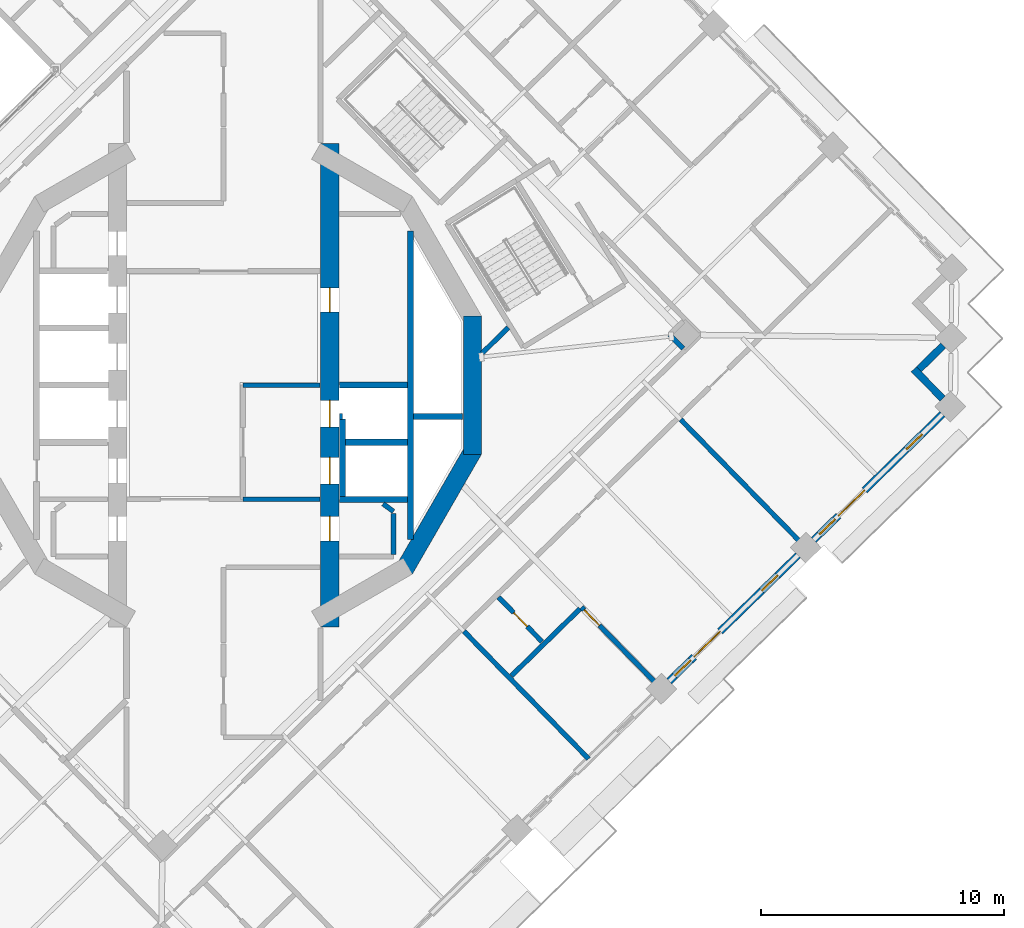
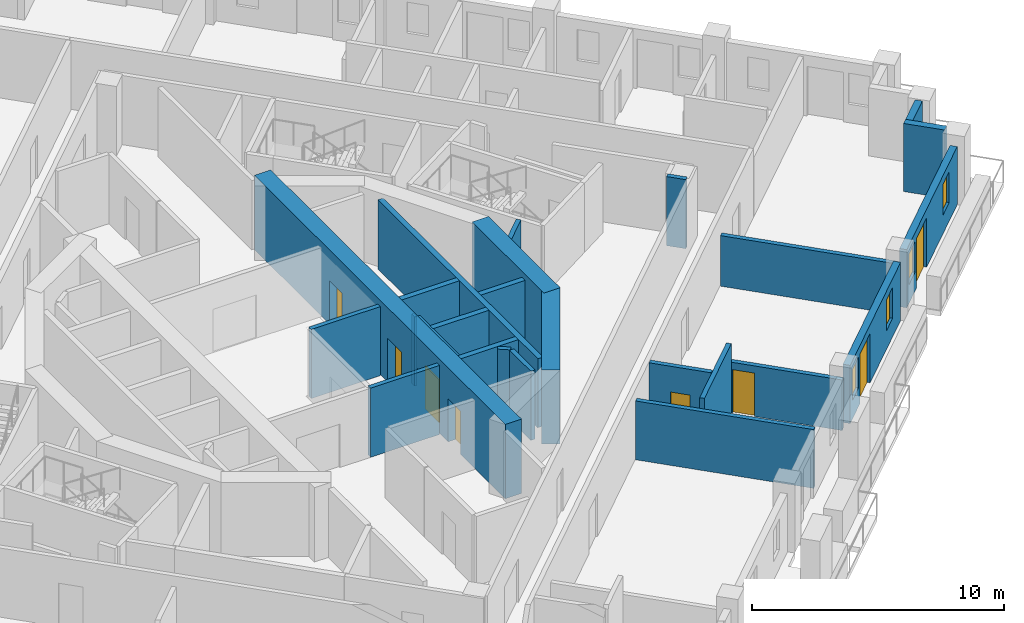
# One storey, part 10 of 21: 25 walls, 8 doors, 4 windows, 12 openings.
"""IFC4 building model written with IfcOpenShell, lengths in metres."""

from ifc_helpers import new_model, si_unit, direction, frame, frame_2d, origin, place, context, subcontext, project, spatial, rectangle, extrude, material, layer, layer_set, type_object, element, fill, save


model = new_model("IFC4")

# Units and contexts
model_context = context("Model", 3, precision=1e-05, world=origin(), true_north=direction((0.0, 1.0)))
body_context = subcontext(model_context, "Body", "Model", "MODEL_VIEW")
ifc_project = project(units=[si_unit("LENGTHUNIT", "METRE"), si_unit("AREAUNIT", "SQUARE_METRE"), si_unit("VOLUMEUNIT", "CUBIC_METRE"), si_unit("PLANEANGLEUNIT", "RADIAN"), si_unit("MASSUNIT", "GRAM", prefix="KILO")], contexts=[model_context])

# Site, building, storey
site_placement = place(None, origin())
site = spatial("IfcSite", under=ifc_project, at=site_placement, CompositionType="ELEMENT")
building_placement = place(site_placement, origin())
building = spatial("IfcBuilding", under=site, at=building_placement, Name="Cantera Rosa Tower", CompositionType="ELEMENT")
storey_placement = place(building_placement, frame((0.0, 0.0, 230.60009765625)))
storey = spatial("IfcBuildingStorey", under=building, at=storey_placement, Name="L50", CompositionType="ELEMENT", Elevation=230.60009765625)

# Walls
ifc_material_1 = material(Name="Hollow clay masonry with cantera stone cladding", Category="masonry")
ifc_layer_1 = layer(ifc_material_1, 0.300048828125)
ifc_layer_set_1 = layer_set([ifc_layer_1], Name="EW-LOGGIA 300")
wall_type_1 = type_object("IfcWallType", Name="EW-LOGGIA 300", PredefinedType="SOLIDWALL", material=ifc_layer_set_1)
wall_1_placement = place(storey_placement, frame((29.623291015625, -0.556884765625, 0.0), z_axis=(0.0, 0.0, 1.0), x_axis=(-0.69880105094, 0.715316077832, 0.0)))
element("IfcWall", 1, at=wall_1_placement, inside=storey, type_object=wall_type_1, Name="EN-L50-W26a", PredefinedType="SOLIDWALL", context=body_context, shape_type="SweptSolid", body=[
    extrude(rectangle(XDim=1.699951171875, YDim=0.300048828125, at=frame_2d((0.85009765625, 0.0))), origin(), (0.0, 0.0, 1.0), 3.2998046875),
])
wall_2_placement = place(storey_placement, frame((28.6474609375, 0.65673828125, 0.0), z_axis=(0.0, 0.0, 1.0), x_axis=(0.715341715727, 0.698774806172, 0.0)))
element("IfcWall", 2, at=wall_2_placement, inside=storey, type_object=wall_type_1, Name="EN-L50-W26b", PredefinedType="SOLIDWALL", context=body_context, shape_type="SweptSolid", body=[
    extrude(rectangle(XDim=1.39990234375, YDim=0.300048828125, at=frame_2d((0.699951171875, 0.0))), origin(), (0.0, 0.0, 1.0), 3.2998046875),
])

# Wall, openings, windows, door
ifc_material_2 = material(Name="Hollow clay masonry with cantera stone cladding", Category="masonry")
ifc_layer_2 = layer(ifc_material_2, 0.300048828125)
ifc_layer_set_2 = layer_set([ifc_layer_2], Name="EW-LOGGIA 300 H2820")
wall_type_2 = type_object("IfcWallType", Name="EW-LOGGIA 300 H2820", PredefinedType="SOLIDWALL", material=ifc_layer_set_2)
wall_3_placement = place(storey_placement, frame((18.357177734375, -12.19287109375, 0.0), z_axis=(0.0, 0.0, 1.0), x_axis=(0.715300826176, 0.698816662703, 0.0)))
wall_3 = element("IfcWall", 3, at=wall_3_placement, inside=storey, type_object=wall_type_2, Name="EN-L50-W24", PredefinedType="SOLIDWALL", context=body_context, shape_type="SweptSolid", body=[
    extrude(rectangle(XDim=7.420166015625, YDim=0.300048828125, at=frame_2d((3.7099609375, 0.0))), origin(), (0.0, 0.0, 1.0), 2.81982421875),
])
opening_1_placement = place(wall_3_placement, frame((0.330078125, 0.0, 0.89990234375)))
opening_1 = element("IfcOpeningElement", 4, at=opening_1_placement, cuts=wall_3, Name="Opening L50-W46", PredefinedType="OPENING", context=body_context, shape_type="SweptSolid", body=[
    extrude(rectangle(XDim=0.89990234375, YDim=1.5, at=frame_2d((0.449951171875, 0.75))), frame((0.0, 0.159912109375, 0.0), z_axis=(0.0, -1.0, 0.0), x_axis=(1.0, 0.0, 0.0)), (0.0, 0.0, 1.0), 0.320068359375),
])
opening_2_placement = place(wall_3_placement, frame((1.429931640625, 0.0, 0.0)))
opening_2 = element("IfcOpeningElement", 5, at=opening_2_placement, cuts=wall_3, Name="Opening L50-TD47", PredefinedType="OPENING", context=body_context, shape_type="SweptSolid", body=[
    extrude(rectangle(XDim=1.5, YDim=2.39990234375, at=frame_2d((0.75, 1.199951171875))), frame((0.0, 0.159912109375, 0.0), z_axis=(0.0, -1.0, 0.0), x_axis=(1.0, 0.0, 0.0)), (0.0, 0.0, 1.0), 0.320068359375),
])
opening_3_placement = place(wall_3_placement, frame((5.340087890625, 0.0, 0.89990234375)))
opening_3 = element("IfcOpeningElement", 6, at=opening_3_placement, cuts=wall_3, Name="Opening L50-W48", PredefinedType="OPENING", context=body_context, shape_type="SweptSolid", body=[
    extrude(rectangle(XDim=0.89990234375, YDim=1.5, at=frame_2d((0.449951171875, 0.75))), frame((0.0, 0.159912109375, 0.0), z_axis=(0.0, -1.0, 0.0), x_axis=(1.0, 0.0, 0.0)), (0.0, 0.0, 1.0), 0.320068359375),
])
ifc_material_3 = material(Name="Aluminium frame with clear glass", Category="aluminium")
window_type = type_object("IfcWindowType", Name="Residential window 900x1500", PartitioningType="SINGLE_PANEL", PredefinedType="WINDOW", material=ifc_material_3)
window_1_placement = place(opening_1_placement, origin())
window_1 = element("IfcWindow", 7, at=window_1_placement, inside=storey, type_object=window_type, Name="WINDOW L50-W46", OverallHeight=1.5, OverallWidth=0.89990234375, PartitioningType="SINGLE_PANEL", PredefinedType="WINDOW", context=body_context, shape_type="SweptSolid", body=[
    extrude(rectangle(XDim=0.89990234375, YDim=1.5, at=frame_2d((0.449951171875, 0.75))), frame((0.0, 0.030029296875, 0.0), z_axis=(0.0, -1.0, 0.0), x_axis=(1.0, 0.0, 0.0)), (0.0, 0.0, 1.0), 0.06005859375),
])
fill(opening_1, window_1)
window_2_placement = place(opening_3_placement, origin())
window_2 = element("IfcWindow", 8, at=window_2_placement, inside=storey, type_object=window_type, Name="WINDOW L50-W48", OverallHeight=1.5, OverallWidth=0.89990234375, PartitioningType="SINGLE_PANEL", PredefinedType="WINDOW", context=body_context, shape_type="SweptSolid", body=[
    extrude(rectangle(XDim=0.89990234375, YDim=1.5, at=frame_2d((0.449951171875, 0.75))), frame((0.0, 0.030029296875, 0.0), z_axis=(0.0, -1.0, 0.0), x_axis=(1.0, 0.0, 0.0)), (0.0, 0.0, 1.0), 0.06005859375),
])
fill(opening_3, window_2)
ifc_material_4 = material(Name="Aluminium frame with clear glass", Category="aluminium")
door_type_1 = type_object("IfcDoorType", Name="TD-R 1500x2400", OperationType="NOTDEFINED", PredefinedType="DOOR", material=ifc_material_4)
door_1_placement = place(opening_2_placement, origin())
door_1 = element("IfcDoor", 9, at=door_1_placement, inside=storey, type_object=door_type_1, Name="LOGGIA DOOR L50-TD47", OperationType="SLIDING_TO_LEFT", OverallHeight=2.39990234375, OverallWidth=1.5, PredefinedType="DOOR", context=body_context, shape_type="SweptSolid", body=[
    extrude(rectangle(XDim=1.5, YDim=2.39990234375, at=frame_2d((0.75, 1.199951171875))), frame((0.0, 0.02490234375, 0.0), z_axis=(0.0, -1.0, 0.0), x_axis=(1.0, 0.0, 0.0)), (0.0, 0.0, 1.0), 0.050048828125),
])
fill(opening_2, door_1)

wall_4_placement = place(storey_placement, frame((24.308349609375, -6.37841796875, 0.0), z_axis=(0.0, 0.0, 1.0), x_axis=(0.715300826176, 0.698816662703, 0.0)))
wall_4 = element("IfcWall", 10, at=wall_4_placement, inside=storey, type_object=wall_type_2, Name="EN-L50-W25", PredefinedType="SOLIDWALL", context=body_context, shape_type="SweptSolid", body=[
    extrude(rectangle(XDim=7.420166015625, YDim=0.300048828125, at=frame_2d((3.7099609375, 0.0))), origin(), (0.0, 0.0, 1.0), 2.81982421875),
])
opening_4_placement = place(wall_4_placement, frame((0.330078125, 0.0, 0.89990234375)))
opening_4 = element("IfcOpeningElement", 11, at=opening_4_placement, cuts=wall_4, Name="Opening L50-W49", PredefinedType="OPENING", context=body_context, shape_type="SweptSolid", body=[
    extrude(rectangle(XDim=0.89990234375, YDim=1.5, at=frame_2d((0.449951171875, 0.75))), frame((0.0, 0.159912109375, 0.0), z_axis=(0.0, -1.0, 0.0), x_axis=(1.0, 0.0, 0.0)), (0.0, 0.0, 1.0), 0.320068359375),
])
opening_5_placement = place(wall_4_placement, frame((1.429931640625, 0.0, 0.0)))
opening_5 = element("IfcOpeningElement", 12, at=opening_5_placement, cuts=wall_4, Name="Opening L50-TD50", PredefinedType="OPENING", context=body_context, shape_type="SweptSolid", body=[
    extrude(rectangle(XDim=1.5, YDim=2.39990234375, at=frame_2d((0.75, 1.199951171875))), frame((0.0, 0.159912109375, 0.0), z_axis=(0.0, -1.0, 0.0), x_axis=(1.0, 0.0, 0.0)), (0.0, 0.0, 1.0), 0.320068359375),
])
opening_6_placement = place(wall_4_placement, frame((5.340087890625, 0.0, 0.89990234375)))
opening_6 = element("IfcOpeningElement", 13, at=opening_6_placement, cuts=wall_4, Name="Opening L50-W51", PredefinedType="OPENING", context=body_context, shape_type="SweptSolid", body=[
    extrude(rectangle(XDim=0.89990234375, YDim=1.5, at=frame_2d((0.449951171875, 0.75))), frame((0.0, 0.159912109375, 0.0), z_axis=(0.0, -1.0, 0.0), x_axis=(1.0, 0.0, 0.0)), (0.0, 0.0, 1.0), 0.320068359375),
])
window_3_placement = place(opening_4_placement, origin())
window_3 = element("IfcWindow", 14, at=window_3_placement, inside=storey, type_object=window_type, Name="WINDOW L50-W49", OverallHeight=1.5, OverallWidth=0.89990234375, PartitioningType="SINGLE_PANEL", PredefinedType="WINDOW", context=body_context, shape_type="SweptSolid", body=[
    extrude(rectangle(XDim=0.89990234375, YDim=1.5, at=frame_2d((0.449951171875, 0.75))), frame((0.0, 0.030029296875, 0.0), z_axis=(0.0, -1.0, 0.0), x_axis=(1.0, 0.0, 0.0)), (0.0, 0.0, 1.0), 0.06005859375),
])
fill(opening_4, window_3)
window_4_placement = place(opening_6_placement, origin())
window_4 = element("IfcWindow", 15, at=window_4_placement, inside=storey, type_object=window_type, Name="WINDOW L50-W51", OverallHeight=1.5, OverallWidth=0.89990234375, PartitioningType="SINGLE_PANEL", PredefinedType="WINDOW", context=body_context, shape_type="SweptSolid", body=[
    extrude(rectangle(XDim=0.89990234375, YDim=1.5, at=frame_2d((0.449951171875, 0.75))), frame((0.0, 0.030029296875, 0.0), z_axis=(0.0, -1.0, 0.0), x_axis=(1.0, 0.0, 0.0)), (0.0, 0.0, 1.0), 0.06005859375),
])
fill(opening_6, window_4)
door_2_placement = place(opening_5_placement, origin())
door_2 = element("IfcDoor", 16, at=door_2_placement, inside=storey, type_object=door_type_1, Name="LOGGIA DOOR L50-TD50", OperationType="SLIDING_TO_LEFT", OverallHeight=2.39990234375, OverallWidth=1.5, PredefinedType="DOOR", context=body_context, shape_type="SweptSolid", body=[
    extrude(rectangle(XDim=1.5, YDim=2.39990234375, at=frame_2d((0.75, 1.199951171875))), frame((0.0, 0.02490234375, 0.0), z_axis=(0.0, -1.0, 0.0), x_axis=(1.0, 0.0, 0.0)), (0.0, 0.0, 1.0), 0.050048828125),
])
fill(opening_5, door_2)

# Wall, opening, door
ifc_material_5 = material(Name="Gypsum board partition")
ifc_layer_3 = layer(ifc_material_5, 0.199951171875)
ifc_layer_set_3 = layer_set([ifc_layer_3], Name="PARTITION 200 H2450")
wall_type_3 = type_object("IfcWallType", Name="PARTITION 200 H2450", PredefinedType="PARTITIONING", material=ifc_layer_set_3)
wall_5_placement = place(storey_placement, frame((14.7509765625, -9.1455078125, 0.0), z_axis=(0.0, 0.0, 1.0), x_axis=(0.698824761261, -0.71529291416, 0.0)))
wall_5 = element("IfcWall", 17, at=wall_5_placement, inside=storey, type_object=wall_type_3, Name="PARTITION L50-111", PredefinedType="PARTITIONING", context=body_context, shape_type="SweptSolid", body=[
    extrude(rectangle(XDim=4.669921875, YDim=0.199951171875, at=frame_2d((2.3349609375, 0.0))), origin(), (0.0, 0.0, 1.0), 2.449951171875),
])
opening_7_placement = place(wall_5_placement, frame((0.14990234375, 0.0, 0.0)))
opening_7 = element("IfcOpeningElement", 18, at=opening_7_placement, cuts=wall_5, Name="Opening L50-046", PredefinedType="OPENING", context=body_context, shape_type="SweptSolid", body=[
    extrude(rectangle(XDim=0.89990234375, YDim=2.10009765625, at=frame_2d((0.449951171875, 1.050048828125))), frame((0.0, 0.10986328125, 0.0), z_axis=(0.0, -1.0, 0.0), x_axis=(1.0, 0.0, 0.0)), (0.0, 0.0, 1.0), 0.219970703125),
])
ifc_material_6 = material(Name="Timber door leaf", Category="wood")
door_type_2 = type_object("IfcDoorType", Name="ROOM DOOR 900x2100", OperationType="NOTDEFINED", PredefinedType="DOOR", material=ifc_material_6)
door_3_placement = place(opening_7_placement, origin())
door_3 = element("IfcDoor", 19, at=door_3_placement, inside=storey, type_object=door_type_2, Name="DOOR L50-046", OperationType="NOTDEFINED", OverallHeight=2.10009765625, OverallWidth=0.89990234375, PredefinedType="DOOR", context=body_context, shape_type="SweptSolid", body=[
    extrude(rectangle(XDim=0.89990234375, YDim=2.10009765625, at=frame_2d((0.449951171875, 1.050048828125))), frame((0.0, 0.02490234375, 0.0), z_axis=(0.0, -1.0, 0.0), x_axis=(1.0, 0.0, 0.0)), (0.0, 0.0, 1.0), 0.050048828125),
])
fill(opening_7, door_3)

# Walls
ifc_material_7 = material(Name="Gypsum board partition")
ifc_layer_4 = layer(ifc_material_7, 0.199951171875)
ifc_layer_set_4 = layer_set([ifc_layer_4], Name="PARTITION 200 H3350")
wall_type_4 = type_object("IfcWallType", Name="PARTITION 200 H3350", PredefinedType="PARTITIONING", material=ifc_layer_set_4)
wall_6_placement = place(storey_placement, frame((6.572509765625, -4.888427734375, 0.0), z_axis=(0.0, 0.0, 1.0), x_axis=(0.808176867567, -0.588939853236, 0.0)))
element("IfcWall", 20, at=wall_6_placement, inside=storey, type_object=wall_type_4, Name="PARTITION L50-082", PredefinedType="PARTITIONING", context=body_context, shape_type="SweptSolid", body=[
    extrude(rectangle(XDim=0.529052734375, YDim=0.199951171875, at=frame_2d((0.2646484375, 0.0))), origin(), (0.0, 0.0, 1.0), 3.349853515625),
])
wall_7_placement = place(storey_placement, frame((7.0, -5.280029296875, 0.0), z_axis=(0.0, 0.0, 1.0), x_axis=(0.0, -1.0, 0.0)))
element("IfcWall", 21, at=wall_7_placement, inside=storey, type_object=wall_type_4, Name="PARTITION L50-085", PredefinedType="PARTITIONING", context=body_context, shape_type="SweptSolid", body=[
    extrude(rectangle(XDim=1.68994140625, YDim=0.199951171875, at=frame_2d((0.844970703125, 0.0))), origin(), (0.0, 0.0, 1.0), 3.349853515625),
])
wall_8_placement = place(storey_placement, frame((10.6552734375, 1.32275390625, 0.0), z_axis=(0.0, 0.0, 1.0), x_axis=(0.715227626276, 0.698891581443, 0.0)))
element("IfcWall", 22, at=wall_8_placement, inside=storey, type_object=wall_type_4, Name="PARTITION L50-096", PredefinedType="PARTITIONING", context=body_context, shape_type="SweptSolid", body=[
    extrude(rectangle(XDim=1.509521484375, YDim=0.199951171875, at=frame_2d((0.7548828125, 0.0))), origin(), (0.0, 0.0, 1.0), 3.349853515625),
])

# Wall, opening, door
wall_9_placement = place(storey_placement, frame((11.3330078125, -8.73779296875, 0.0), z_axis=(0.0, 0.0, 1.0), x_axis=(0.698809886965, -0.715307445705, 0.0)))
wall_9 = element("IfcWall", 23, at=wall_9_placement, inside=storey, type_object=wall_type_4, Name="PARTITION L50-098", PredefinedType="PARTITIONING", context=body_context, shape_type="SweptSolid", body=[
    extrude(rectangle(XDim=2.56005859375, YDim=0.199951171875, at=frame_2d((1.280029296875, 0.0))), origin(), (0.0, 0.0, 1.0), 3.349853515625),
])
opening_8_placement = place(wall_9_placement, frame((0.8798828125, 0.0, 0.0)))
opening_8 = element("IfcOpeningElement", 24, at=opening_8_placement, cuts=wall_9, Name="Opening L50-045", PredefinedType="OPENING", context=body_context, shape_type="SweptSolid", body=[
    extrude(rectangle(XDim=0.800048828125, YDim=2.10009765625, at=frame_2d((0.39990234375, 1.050048828125))), frame((0.0, 0.10986328125, 0.0), z_axis=(0.0, -1.0, 0.0), x_axis=(1.0, 0.0, 0.0)), (0.0, 0.0, 1.0), 0.219970703125),
])
ifc_material_8 = material(Name="Timber door leaf", Category="wood")
door_type_3 = type_object("IfcDoorType", Name="BATHROOM DOOR 800x2100", OperationType="NOTDEFINED", PredefinedType="DOOR", material=ifc_material_8)
door_4_placement = place(opening_8_placement, origin())
door_4 = element("IfcDoor", 25, at=door_4_placement, inside=storey, type_object=door_type_3, Name="DOOR L50-045", OperationType="NOTDEFINED", OverallHeight=2.10009765625, OverallWidth=0.800048828125, PredefinedType="DOOR", context=body_context, shape_type="SweptSolid", body=[
    extrude(rectangle(XDim=0.800048828125, YDim=2.10009765625, at=frame_2d((0.39990234375, 1.050048828125))), frame((0.0, 0.02490234375, 0.0), z_axis=(0.0, -1.0, 0.0), x_axis=(1.0, 0.0, 0.0)), (0.0, 0.0, 1.0), 0.050048828125),
])
fill(opening_8, door_4)

# Walls
wall_10_placement = place(storey_placement, frame((14.679443359375, -9.21533203125, 0.0), z_axis=(0.0, 0.0, 1.0), x_axis=(-0.715299823185, -0.698817689352, 0.0)))
element("IfcWall", 26, at=wall_10_placement, inside=storey, type_object=wall_type_4, Name="PARTITION L50-110", PredefinedType="PARTITIONING", context=body_context, shape_type="SweptSolid", body=[
    extrude(rectangle(XDim=3.940185546875, YDim=0.199951171875, at=frame_2d((1.97021484375, 0.0))), origin(), (0.0, 0.0, 1.0), 3.349853515625),
])
wall_11_placement = place(storey_placement, frame((18.375, 2.08447265625, 0.0), z_axis=(0.0, 0.0, 1.0), x_axis=(0.698819420598, -0.715298131827, 0.0)))
element("IfcWall", 27, at=wall_11_placement, inside=storey, type_object=wall_type_4, Name="PARTITION L50-115", PredefinedType="PARTITIONING", context=body_context, shape_type="SweptSolid", body=[
    extrude(rectangle(XDim=0.800048828125, YDim=0.199951171875, at=frame_2d((0.39990234375, 0.0))), origin(), (0.0, 0.0, 1.0), 3.349853515625),
])
ifc_material_9 = material(Name="Gypsum board partition")
ifc_layer_5 = layer(ifc_material_9, 0.199951171875)
ifc_layer_set_5 = layer_set([ifc_layer_5], Name="PARTY WALL 200 H2450")
wall_type_5 = type_object("IfcWallType", Name="PARTY WALL 200 H2450", PredefinedType="PARTITIONING", material=ifc_layer_set_5)
wall_12_placement = place(storey_placement, frame((18.8291015625, -1.414306640625, 0.0), z_axis=(0.0, 0.0, 1.0), x_axis=(0.698854556514, -0.71526380367, 0.0)))
element("IfcWall", 28, at=wall_12_placement, inside=storey, type_object=wall_type_5, Name="PARTY WALL L50-116", PredefinedType="PARTITIONING", context=body_context, shape_type="SweptSolid", body=[
    extrude(rectangle(XDim=7.349853515625, YDim=0.199951171875, at=frame_2d((3.6748046875, 0.0))), origin(), (0.0, 0.0, 1.0), 2.449951171875),
])
ifc_material_10 = material(Name="Gypsum board partition")
ifc_layer_6 = layer(ifc_material_10, 0.199951171875)
ifc_layer_set_6 = layer_set([ifc_layer_6], Name="PARTY WALL 200 H2850")
wall_type_6 = type_object("IfcWallType", Name="PARTY WALL 200 H2850", PredefinedType="PARTITIONING", material=ifc_layer_set_6)
wall_13_placement = place(storey_placement, frame((9.90234375, -10.135498046875, 0.0), z_axis=(0.0, 0.0, 1.0), x_axis=(0.698821349183, -0.715296247667, 0.0)))
element("IfcWall", 29, at=wall_13_placement, inside=storey, type_object=wall_type_6, Name="PARTY WALL L50-095", PredefinedType="PARTITIONING", context=body_context, shape_type="SweptSolid", body=[
    extrude(rectangle(XDim=7.35009765625, YDim=0.199951171875, at=frame_2d((3.675048828125, 0.0))), origin(), (0.0, 0.0, 1.0), 2.849853515625),
])
ifc_material_11 = material(Name="Concrete C60/75", Category="concrete")
ifc_layer_7 = layer(ifc_material_11, 0.75)
ifc_layer_set_7 = layer_set([ifc_layer_7], Name="RC CORE WALL 750 C60/75")
wall_type_7 = type_object("IfcWallType", Name="RC CORE WALL 750 C60/75", PredefinedType="SHEAR", material=ifc_layer_set_7)
wall_14_placement = place(storey_placement, frame((10.250244140625, 2.846923828125, 0.0), z_axis=(0.0, 0.0, 1.0), x_axis=(0.0, -1.0, 0.0)))
element("IfcWall", 30, at=wall_14_placement, inside=storey, type_object=wall_type_7, Name="CW-E3 L50", PredefinedType="SHEAR", context=body_context, shape_type="SweptSolid", body=[
    extrude(rectangle(XDim=5.69384765625, YDim=0.75, at=frame_2d((2.846923828125, 0.0))), origin(), (0.0, 0.0, 1.0), 3.599853515625),
])
wall_15_placement = place(storey_placement, frame((10.300537109375, -2.659423828125, 0.0), z_axis=(0.0, 0.0, 1.0), x_axis=(-0.500021842983, -0.866012792365, 0.0)))
element("IfcWall", 31, at=wall_15_placement, inside=storey, type_object=wall_type_7, Name="CW-E4 L50", PredefinedType="SHEAR", context=body_context, shape_type="SweptSolid", body=[
    extrude(rectangle(XDim=5.694091796875, YDim=0.75, at=frame_2d((2.84716796875, 0.0))), origin(), (0.0, 0.0, 1.0), 3.599853515625),
])

# Wall, openings, doors
wall_16_placement = place(storey_placement, frame((4.375, -9.95947265625, 0.0), z_axis=(0.0, 0.0, 1.0), x_axis=(0.0, 1.0, 0.0)))
wall_16 = element("IfcWall", 32, at=wall_16_placement, inside=storey, type_object=wall_type_7, Name="CW-E6 L50", PredefinedType="SHEAR", context=body_context, shape_type="SweptSolid", body=[
    extrude(rectangle(XDim=19.9189453125, YDim=0.75, at=frame_2d((9.95947265625, 0.0))), origin(), (0.0, 0.0, 1.0), 3.599853515625),
])
opening_9_placement = place(wall_16_placement, frame((5.884521484375, 0.0, 0.0)))
opening_9 = element("IfcOpeningElement", 33, at=opening_9_placement, cuts=wall_16, Name="Opening LD-FF1-L50", PredefinedType="OPENING", context=body_context, shape_type="SweptSolid", body=[
    extrude(rectangle(XDim=1.10009765625, YDim=2.10009765625, at=frame_2d((0.550048828125, 1.050048828125))), frame((0.0, 0.385009765625, 0.0), z_axis=(0.0, -1.0, 0.0), x_axis=(1.0, 0.0, 0.0)), (0.0, 0.0, 1.0), 0.77001953125),
])
opening_10_placement = place(wall_16_placement, frame((8.234619140625, 0.0, 0.0)))
opening_10 = element("IfcOpeningElement", 34, at=opening_10_placement, cuts=wall_16, Name="Opening LD-FF2-L50", PredefinedType="OPENING", context=body_context, shape_type="SweptSolid", body=[
    extrude(rectangle(XDim=1.10009765625, YDim=2.10009765625, at=frame_2d((0.550048828125, 1.050048828125))), frame((0.0, 0.385009765625, 0.0), z_axis=(0.0, -1.0, 0.0), x_axis=(1.0, 0.0, 0.0)), (0.0, 0.0, 1.0), 0.77001953125),
])
opening_11_placement = place(wall_16_placement, frame((3.55078125, 0.0, 0.0)))
opening_11 = element("IfcOpeningElement", 35, at=opening_11_placement, cuts=wall_16, Name="Opening SD-L50-23", PredefinedType="OPENING", context=body_context, shape_type="SweptSolid", body=[
    extrude(rectangle(XDim=1.0, YDim=2.10009765625, at=frame_2d((0.5, 1.050048828125))), frame((0.0, 0.385009765625, 0.0), z_axis=(0.0, -1.0, 0.0), x_axis=(1.0, 0.0, 0.0)), (0.0, 0.0, 1.0), 0.77001953125),
])
opening_12_placement = place(wall_16_placement, frame((12.9658203125, 0.0, 0.0)))
opening_12 = element("IfcOpeningElement", 36, at=opening_12_placement, cuts=wall_16, Name="Opening SD-L50-24", PredefinedType="OPENING", context=body_context, shape_type="SweptSolid", body=[
    extrude(rectangle(XDim=1.0, YDim=2.10009765625, at=frame_2d((0.5, 1.050048828125))), frame((0.0, 0.385009765625, 0.0), z_axis=(0.0, -1.0, 0.0), x_axis=(1.0, 0.0, 0.0)), (0.0, 0.0, 1.0), 0.77001953125),
])
ifc_material_12 = material(Name="Steel S355J2 (EN 10025-2)", Category="steel")
door_type_4 = type_object("IfcDoorType", Name="LANDING DOOR 1100x2100", OperationType="NOTDEFINED", PredefinedType="DOOR", material=ifc_material_12)
door_5_placement = place(opening_9_placement, origin())
door_5 = element("IfcDoor", 37, at=door_5_placement, inside=storey, type_object=door_type_4, Name="LANDING DOOR FF1 L50", OperationType="SLIDING_TO_LEFT", OverallHeight=2.10009765625, OverallWidth=1.10009765625, PredefinedType="DOOR", context=body_context, shape_type="SweptSolid", body=[
    extrude(rectangle(XDim=1.10009765625, YDim=2.10009765625, at=frame_2d((0.550048828125, 1.050048828125))), frame((0.0, 0.02490234375, 0.0), z_axis=(0.0, -1.0, 0.0), x_axis=(1.0, 0.0, 0.0)), (0.0, 0.0, 1.0), 0.050048828125),
])
fill(opening_9, door_5)
door_6_placement = place(opening_10_placement, origin())
door_6 = element("IfcDoor", 38, at=door_6_placement, inside=storey, type_object=door_type_4, Name="LANDING DOOR FF2 L50", OperationType="SLIDING_TO_LEFT", OverallHeight=2.10009765625, OverallWidth=1.10009765625, PredefinedType="DOOR", context=body_context, shape_type="SweptSolid", body=[
    extrude(rectangle(XDim=1.10009765625, YDim=2.10009765625, at=frame_2d((0.550048828125, 1.050048828125))), frame((0.0, 0.02490234375, 0.0), z_axis=(0.0, -1.0, 0.0), x_axis=(1.0, 0.0, 0.0)), (0.0, 0.0, 1.0), 0.050048828125),
])
fill(opening_10, door_6)
ifc_material_13 = material(Name="Timber door leaf", Category="wood")
door_type_5 = type_object("IfcDoorType", Name="SERVICE DOOR 1000x2100", OperationType="NOTDEFINED", PredefinedType="DOOR", material=ifc_material_13)
door_7_placement = place(opening_11_placement, origin())
door_7 = element("IfcDoor", 39, at=door_7_placement, inside=storey, type_object=door_type_5, Name="DOOR L50-SD23", OperationType="NOTDEFINED", OverallHeight=2.10009765625, OverallWidth=1.0, PredefinedType="DOOR", context=body_context, shape_type="SweptSolid", body=[
    extrude(rectangle(XDim=1.0, YDim=2.10009765625, at=frame_2d((0.5, 1.050048828125))), frame((0.0, 0.02490234375, 0.0), z_axis=(0.0, -1.0, 0.0), x_axis=(1.0, 0.0, 0.0)), (0.0, 0.0, 1.0), 0.050048828125),
])
fill(opening_11, door_7)
door_8_placement = place(opening_12_placement, origin())
door_8 = element("IfcDoor", 40, at=door_8_placement, inside=storey, type_object=door_type_5, Name="DOOR L50-SD24", OperationType="NOTDEFINED", OverallHeight=2.10009765625, OverallWidth=1.0, PredefinedType="DOOR", context=body_context, shape_type="SweptSolid", body=[
    extrude(rectangle(XDim=1.0, YDim=2.10009765625, at=frame_2d((0.5, 1.050048828125))), frame((0.0, 0.02490234375, 0.0), z_axis=(0.0, -1.0, 0.0), x_axis=(1.0, 0.0, 0.0)), (0.0, 0.0, 1.0), 0.050048828125),
])
fill(opening_12, door_8)

# Walls
ifc_material_14 = material(Name="Masonry blockwork", Category="masonry")
ifc_layer_8 = layer(ifc_material_14, 0.25)
ifc_layer_set_8 = layer_set([ifc_layer_8], Name="SHAFT WALL 250 H3350")
wall_type_8 = type_object("IfcWallType", Name="SHAFT WALL 250 H3350", PredefinedType="SOLIDWALL", material=ifc_layer_set_8)
wall_17_placement = place(storey_placement, frame((4.780029296875, -1.28271484375, 0.0), z_axis=(0.0, 0.0, 1.0), x_axis=(1.0, 0.0, 0.0)))
element("IfcWall", 41, at=wall_17_placement, inside=storey, type_object=wall_type_8, Name="SHAFT WALL L50-077", PredefinedType="SOLIDWALL", context=body_context, shape_type="SweptSolid", body=[
    extrude(rectangle(XDim=0.119873046875, YDim=0.25, at=frame_2d((0.06005859375, 0.0))), origin(), (0.0, 0.0, 1.0), 3.349853515625),
])
wall_18_placement = place(storey_placement, frame((4.89990234375, -1.402587890625, 0.0), z_axis=(0.0, 0.0, 1.0), x_axis=(0.0, -1.0, 0.0)))
element("IfcWall", 42, at=wall_18_placement, inside=storey, type_object=wall_type_8, Name="SHAFT WALL L50-079", PredefinedType="SOLIDWALL", context=body_context, shape_type="SweptSolid", body=[
    extrude(rectangle(XDim=3.17236328125, YDim=0.25, at=frame_2d((1.586181640625, 0.0))), origin(), (0.0, 0.0, 1.0), 3.349853515625),
])
wall_19_placement = place(storey_placement, frame((7.699951171875, -6.353515625, 0.0), z_axis=(0.0, 0.0, 1.0), x_axis=(0.0, 1.0, 0.0)))
element("IfcWall", 43, at=wall_19_placement, inside=storey, type_object=wall_type_8, Name="SHAFT WALL L50-087", PredefinedType="SOLIDWALL", context=body_context, shape_type="SweptSolid", body=[
    extrude(rectangle(XDim=12.70703125, YDim=0.25, at=frame_2d((6.353515625, 0.0))), origin(), (0.0, 0.0, 1.0), 3.349853515625),
])
wall_20_placement = place(storey_placement, frame((7.574951171875, -4.699951171875, 0.0), z_axis=(0.0, 0.0, 1.0), x_axis=(-1.0, 0.0, 0.0)))
element("IfcWall", 44, at=wall_20_placement, inside=storey, type_object=wall_type_8, Name="SHAFT WALL L50-088", PredefinedType="SOLIDWALL", context=body_context, shape_type="SweptSolid", body=[
    extrude(rectangle(XDim=2.794921875, YDim=0.25, at=frame_2d((1.3974609375, 0.0))), origin(), (0.0, 0.0, 1.0), 3.349853515625),
])
wall_21_placement = place(storey_placement, frame((7.574951171875, -2.35009765625, 0.0), z_axis=(0.0, 0.0, 1.0), x_axis=(-1.0, 0.0, 0.0)))
element("IfcWall", 45, at=wall_21_placement, inside=storey, type_object=wall_type_8, Name="SHAFT WALL L50-089", PredefinedType="SOLIDWALL", context=body_context, shape_type="SweptSolid", body=[
    extrude(rectangle(XDim=2.56005859375, YDim=0.25, at=frame_2d((1.280029296875, 0.0))), origin(), (0.0, 0.0, 1.0), 3.349853515625),
])
wall_22_placement = place(storey_placement, frame((7.824951171875, -1.28271484375, 0.0), z_axis=(0.0, 0.0, 1.0), x_axis=(1.0, 0.0, 0.0)))
element("IfcWall", 46, at=wall_22_placement, inside=storey, type_object=wall_type_8, Name="SHAFT WALL L50-090", PredefinedType="SOLIDWALL", context=body_context, shape_type="SweptSolid", body=[
    extrude(rectangle(XDim=2.020263671875, YDim=0.25, at=frame_2d((1.01025390625, 0.0))), origin(), (0.0, 0.0, 1.0), 3.349853515625),
])
wall_23_placement = place(storey_placement, frame((7.574951171875, 0.0, 0.0), z_axis=(0.0, 0.0, 1.0), x_axis=(-1.0, 0.0, 0.0)))
element("IfcWall", 47, at=wall_23_placement, inside=storey, type_object=wall_type_8, Name="SHAFT WALL L50-091", PredefinedType="SOLIDWALL", context=body_context, shape_type="SweptSolid", body=[
    extrude(rectangle(XDim=2.794921875, YDim=0.25, at=frame_2d((1.3974609375, 0.0))), origin(), (0.0, 0.0, 1.0), 3.349853515625),
])
ifc_material_15 = material(Name="Concrete C50/60", Category="concrete")
ifc_layer_9 = layer(ifc_material_15, 0.199951171875)
ifc_layer_set_9 = layer_set([ifc_layer_9], Name="STAIR WALL 200 H3350")
wall_type_9 = type_object("IfcWallType", Name="STAIR WALL 200 H3350", PredefinedType="SOLIDWALL", material=ifc_layer_set_9)
for number, where, z_axis, x_axis, name in (
    (48, (0.800048828125, 0.0, 0.0), (0.0, 0.0, 1.0), (1.0, 0.0, 0.0), "STAIR WALL L50-064"),
    (49, (3.969970703125, -4.699951171875, 0.0), (0.0, 0.0, 1.0), (-1.0, 0.0, 0.0), "STAIR WALL L50-073"),
):
    element("IfcWall", number, at=place(storey_placement, frame(where, z_axis=z_axis, x_axis=x_axis)), inside=storey, type_object=wall_type_9, Name=name, PredefinedType="SOLIDWALL", context=body_context, shape_type="SweptSolid", body=[
        extrude(rectangle(XDim=3.169921875, YDim=0.199951171875, at=frame_2d((1.5849609375, 0.0))), origin(), (0.0, 0.0, 1.0), 3.349853515625),
    ])

save(model, "model.ifc")
